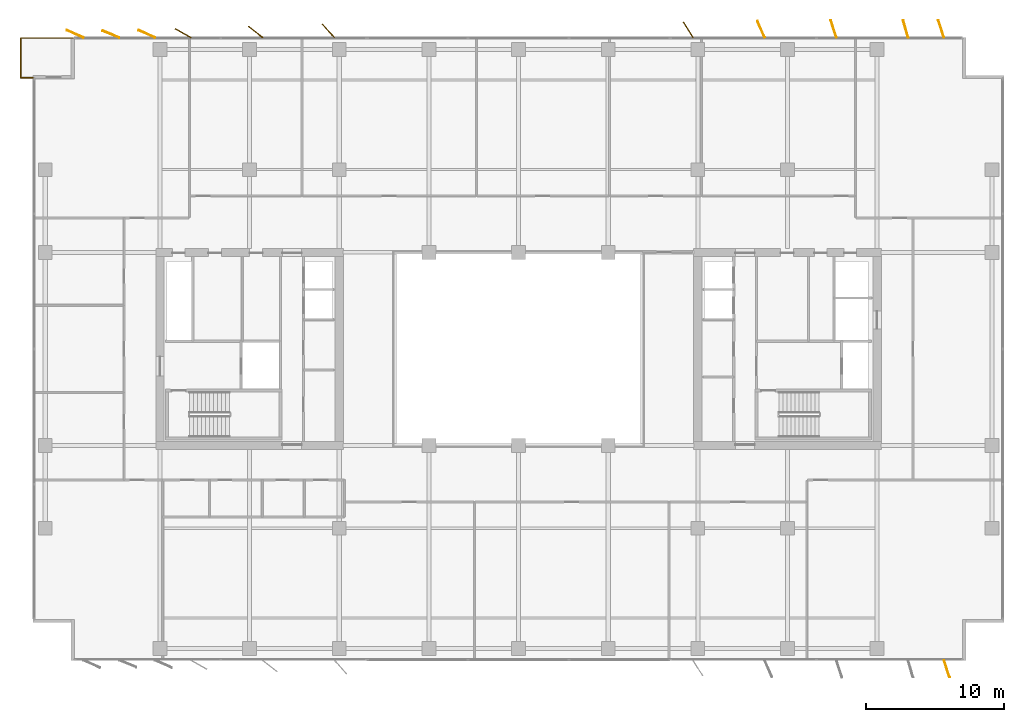
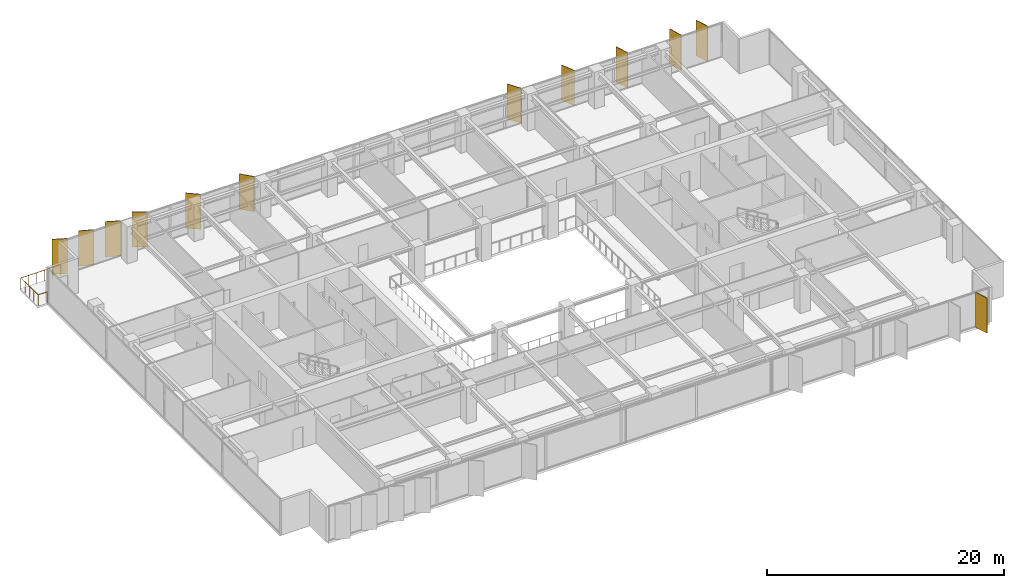
# One storey, part 22 of 22: 12 shading devices, 1 railing.
"""IFC4 building model written with IfcOpenShell, lengths in metres."""

from ifc_helpers import new_model, si_unit, direction, frame, origin, origin_2d, place, context, subcontext, project, spatial, rectangle, circle, extrude, material, layer, layer_set, type_object, element, save


model = new_model("IFC4")

# Units and contexts
model_context = context("Model", 3, precision=1e-05, world=origin(), true_north=direction((0.0, 1.0)))
body_context = subcontext(model_context, "Body", "Model", "MODEL_VIEW")
ifc_project = project(units=[si_unit("LENGTHUNIT", "METRE"), si_unit("AREAUNIT", "SQUARE_METRE"), si_unit("VOLUMEUNIT", "CUBIC_METRE"), si_unit("PLANEANGLEUNIT", "RADIAN"), si_unit("MASSUNIT", "GRAM", prefix="KILO")], contexts=[model_context])

# Site, building, storey
site_placement = place(None, origin())
site = spatial("IfcSite", under=ifc_project, at=site_placement, CompositionType="ELEMENT")
building_placement = place(site_placement, origin())
building = spatial("IfcBuilding", under=site, at=building_placement, Name="Putna Gate Headquarters", CompositionType="ELEMENT")
storey_placement = place(building_placement, frame((0.0, 0.0, 151.800048828125)))
storey = spatial("IfcBuildingStorey", under=building, at=storey_placement, Name="L37", CompositionType="ELEMENT", Elevation=151.800048828125)

# Railing
ifc_material_1 = material(Name="Anodised bronze steel and laminated glass guardrail", Category="steel")
railing_type = type_object("IfcRailingType", Name="RAIL-TERR-GUARD-1150", PredefinedType="GUARDRAIL", material=ifc_material_1)
railing_placement = place(storey_placement, frame((3.800048828125, 45.659912109375, 0.0)))
element("IfcRailing", 1, at=railing_placement, inside=storey, type_object=railing_type, Name="L37 Spiral Sky Terrace Guardrail NW", PredefinedType="GUARDRAIL", context=body_context, shape_type="SweptSolid", body=[
    extrude(circle(Radius=0.02392578125, at=origin_2d()), frame((0.0, 0.0, 1.1259765625), z_axis=(-1.0, 0.0, 0.0), x_axis=(0.0, -1.0, 0.0)), (0.0, 0.0, 1.0), 0.89013671875),
    extrude(circle(Radius=0.02392578125, at=origin_2d()), frame((-0.89013671875, 0.0, 1.1259765625), z_axis=(0.0, 1.0, 0.0), x_axis=(-1.0, 0.0, 0.0)), (0.0, 0.0, 1.0), 2.880126953125),
    extrude(circle(Radius=0.02392578125, at=origin_2d()), frame((-0.89013671875, 2.880126953125, 1.1259765625), z_axis=(1.0, 0.0, 0.0), x_axis=(0.0, 1.0, 0.0)), (0.0, 0.0, 1.0), 3.89013671875),
    extrude(circle(Radius=0.02099609375, at=origin_2d()), origin(), (0.0, 0.0, 1.0), 1.101806640625),
    extrude(circle(Radius=0.02099609375, at=origin_2d()), frame((-0.89013671875, 0.0, 0.0)), (0.0, 0.0, 1.0), 1.101806640625),
    extrude(circle(Radius=0.02099609375, at=origin_2d()), frame((-0.89013671875, 0.719970703125, 0.0)), (0.0, 0.0, 1.0), 1.101806640625),
    extrude(circle(Radius=0.02099609375, at=origin_2d()), frame((-0.89013671875, 1.43994140625, 0.0)), (0.0, 0.0, 1.0), 1.101806640625),
    extrude(circle(Radius=0.02099609375, at=origin_2d()), frame((-0.89013671875, 2.16015625, 0.0)), (0.0, 0.0, 1.0), 1.101806640625),
    extrude(circle(Radius=0.02099609375, at=origin_2d()), frame((-0.89013671875, 2.880126953125, 0.0)), (0.0, 0.0, 1.0), 1.101806640625),
    extrude(circle(Radius=0.02099609375, at=origin_2d()), frame((-0.112060546875, 2.880126953125, 0.0)), (0.0, 0.0, 1.0), 1.101806640625),
    extrude(circle(Radius=0.02099609375, at=origin_2d()), frame((0.666015625, 2.880126953125, 0.0)), (0.0, 0.0, 1.0), 1.101806640625),
    extrude(circle(Radius=0.02099609375, at=origin_2d()), frame((1.44384765625, 2.880126953125, 0.0)), (0.0, 0.0, 1.0), 1.101806640625),
    extrude(circle(Radius=0.02099609375, at=origin_2d()), frame((2.221923828125, 2.880126953125, 0.0)), (0.0, 0.0, 1.0), 1.101806640625),
    extrude(circle(Radius=0.02099609375, at=origin_2d()), frame((3.0, 2.880126953125, 0.0)), (0.0, 0.0, 1.0), 1.101806640625),
])

# Shading devices
ifc_material_2 = material(Name="Anodised architectural bronze aluminium fin", Category="aluminium")
ifc_layer = layer(ifc_material_2, 0.06494140625)
ifc_layer_set = layer_set([ifc_layer], Name="Anodised architectural bronze aluminium fin")
shading_device_type = type_object("IfcShadingDeviceType", Name="SHADE-BRONZE-FIN-1320", PredefinedType="USERDEFINED", material=ifc_layer_set)
for number, where, z_axis, x_axis, name in (
    (2, (6.846923828125, 48.84326171875, -0.02001953125), (0.0, 0.0, 1.0), (-0.913687379856, 0.40641773078, 0.0), "L37 Bronze Vertical Shading Fin N1"),
    (3, (9.43798828125, 48.822265625, -0.02001953125), (0.0, 0.0, 1.0), (-0.927183854567, 0.374606593416, 0.0), "L37 Bronze Vertical Shading Fin N2"),
    (4, (12.047119140625, 48.84326171875, -0.02001953125), (0.0, 0.0, 1.0), (-0.913687379856, 0.40641773078, 0.0), "L37 Bronze Vertical Shading Fin N3"),
    (5, (14.67626953125, 48.901123046875, -0.02001953125), (0.0, 0.0, 1.0), (-0.869322458298, 0.494245347472, 0.0), "L37 Bronze Vertical Shading Fin N4"),
    (6, (19.930419921875, 48.981689453125, -0.02001953125), (0.0, 0.0, 1.0), (-0.787473187632, 0.616348909921, 0.0), "L37 Bronze Vertical Shading Fin N5"),
    (7, (25.20849609375, 49.0654296875, -0.02001953125), (0.0, 0.0, 1.0), (-0.669130606359, 0.743144825477, 0.0), "L37 Bronze Vertical Shading Fin N6"),
    (8, (51.2998046875, 49.134521484375, -0.02001953125), (0.0, 0.0, 1.0), (-0.530659123936, 0.847585331506, 0.0), "L37 Bronze Vertical Shading Fin N7"),
    (9, (56.585693359375, 49.1796875, -0.02001953125), (0.0, 0.0, 1.0), (-0.400668879095, 0.916222925562, 0.0), "L37 Bronze Vertical Shading Fin N8"),
    (10, (61.84619140625, 49.202880859375, -0.02001953125), (0.0, 0.0, 1.0), (-0.308684994204, 0.951164325631, 0.0), "L37 Bronze Vertical Shading Fin N9"),
    (11, (67.068115234375, 49.20947265625, -0.02001953125), (0.0, 0.0, 1.0), (-0.275637355817, 0.961261695938, 0.0), "L37 Bronze Vertical Shading Fin N10"),
    (12, (70.0537109375, 2.797119140625, -0.02001953125), (0.0, 0.0, 1.0), (0.308684994204, -0.951164325631, 0.0), "L37 Bronze Vertical Shading Fin S11"),
    (13, (69.646240234375, 49.202880859375, -0.02001953125), (0.0, 0.0, 1.0), (-0.308684994204, 0.951164325631, 0.0), "L37 Bronze Vertical Shading Fin N11"),
):
    element("IfcShadingDevice", number, at=place(storey_placement, frame(where, z_axis=z_axis, x_axis=x_axis)), inside=storey, type_object=shading_device_type, Name=name, ObjectType="FIN", PredefinedType="USERDEFINED", context=body_context, shape_type="SweptSolid", body=[
        extrude(rectangle(XDim=1.320068359375, YDim=0.06494140625, at=origin_2d()), origin(), (0.0, 0.0, 1.0), 3.612060546875),
    ])

save(model, "model.ifc")
